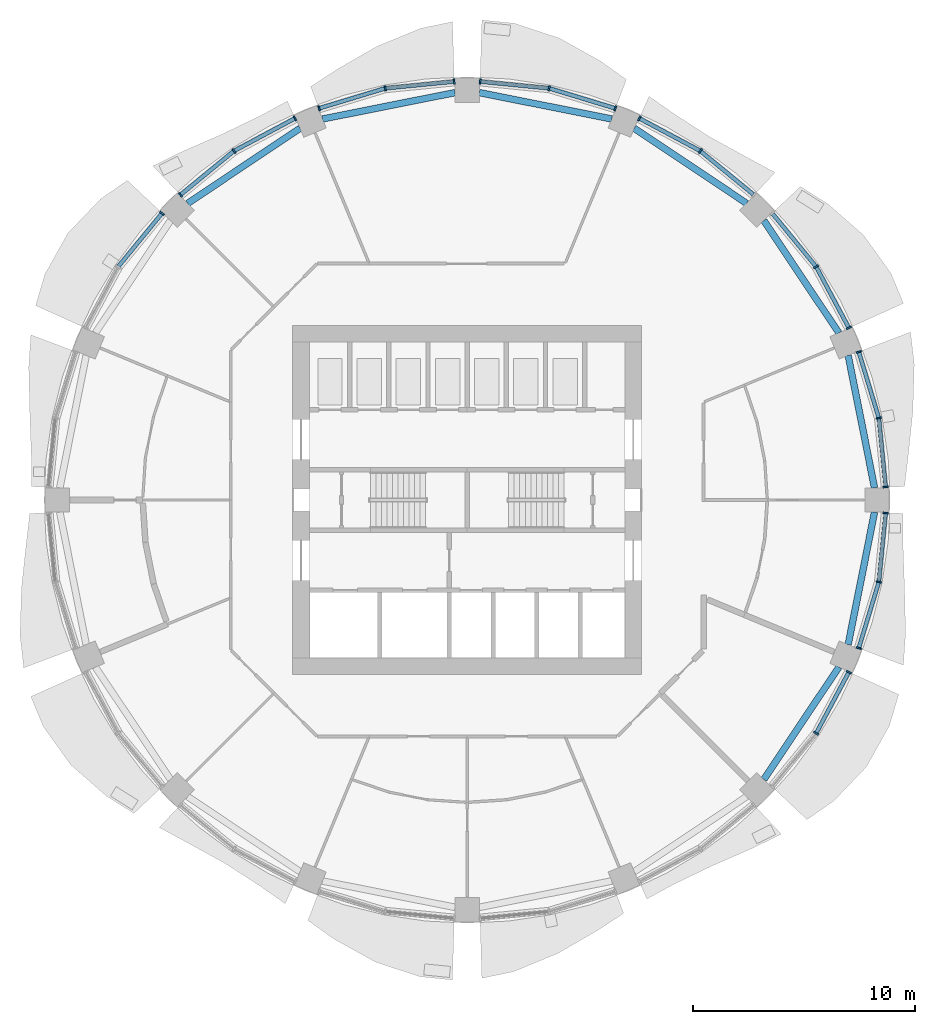
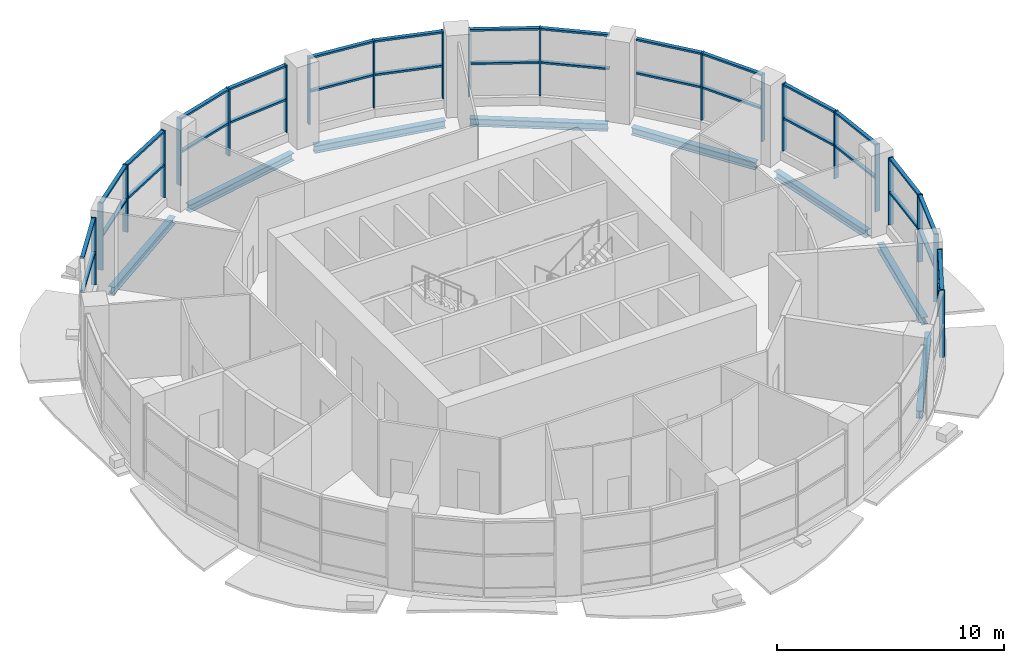
# One storey, part 3 of 13: 54 members, 8 beams, 9 elements without a shape of their own.
"""IFC4 building model written with IfcOpenShell, lengths in metres."""

from ifc_helpers import new_model, si_unit, direction, frame, origin, origin_2d, place, context, subcontext, project, spatial, rectangle, i_section, extrude, material, material_profile, profile_set, type_object, element, aggregate, save


model = new_model("IFC4")

# Units and contexts
model_context = context("Model", 3, precision=1e-05, world=origin(), true_north=direction((0.0, 1.0)))
body_context = subcontext(model_context, "Body", "Model", "MODEL_VIEW")
ifc_project = project(units=[si_unit("LENGTHUNIT", "METRE"), si_unit("AREAUNIT", "SQUARE_METRE"), si_unit("VOLUMEUNIT", "CUBIC_METRE"), si_unit("PLANEANGLEUNIT", "RADIAN"), si_unit("MASSUNIT", "GRAM", prefix="KILO")], contexts=[model_context])

# Site, building, storey
site_placement = place(None, origin())
site = spatial("IfcSite", under=ifc_project, at=site_placement, CompositionType="ELEMENT")
building_placement = place(site_placement, origin())
building = spatial("IfcBuilding", under=site, at=building_placement, Name="Polderwave Tower", CompositionType="ELEMENT")
storey_placement = place(building_placement, frame((0.0, 0.0, 116.550048828125)))
storey = spatial("IfcBuildingStorey", under=building, at=storey_placement, Name="L30", CompositionType="ELEMENT", Elevation=116.550048828125)

# Beams
ifc_material_1 = material(Name="Steel S355", Category="steel")
ifc_material_profile_1 = material_profile(ifc_material_1, i_section(OverallWidth=0.300048828125, OverallDepth=0.39990234375, WebThickness=0.013427734375, FlangeThickness=0.02392578125, at=origin_2d()), Name="HE 400 B")
ifc_profile_set_1 = profile_set([ifc_material_profile_1], Name="Steel S355")
beam_type = type_object("IfcBeamType", Name="RING BEAM HE 400 B", PredefinedType="BEAM", material=ifc_profile_set_1)
beam_1_placement = place(storey_placement, frame((18.390625, 0.550048828125, -0.550048828125), z_axis=(-0.195099501473, 0.980783454451, 0.0), x_axis=(-0.980783454451, -0.195099501473, 0.0)))
element("IfcBeam", 1, at=beam_1_placement, inside=storey, type_object=beam_type, Name="ST-RB-L30-00", PredefinedType="BEAM", context=body_context, shape_type="SweptSolid", body=[
    extrude(i_section(OverallWidth=0.300048828125, OverallDepth=0.39990234375, WebThickness=0.013427734375, FlangeThickness=0.02392578125, at=origin_2d()), origin(), (0.0, 0.0, 1.0), 6.0966796875),
])
for number, where, z_axis, x_axis, name in (
    (2, (16.7802734375, 7.5458984375, -0.550048828125), (-0.555568537713, 0.831470745068, 0.0), (-0.831470745068, -0.555568537713, 0.0), "ST-RB-L30-01"),
    (3, (12.615234375, 13.39306640625, -0.550048828125), (-0.831470745068, 0.555568537713, 0.0), (-0.555568537713, -0.831470745068, 0.0), "ST-RB-L30-02"),
):
    element("IfcBeam", number, at=place(storey_placement, frame(where, z_axis=z_axis, x_axis=x_axis)), inside=storey, type_object=beam_type, Name=name, PredefinedType="BEAM", context=body_context, shape_type="SweptSolid", body=[
        extrude(i_section(OverallWidth=0.300048828125, OverallDepth=0.39990234375, WebThickness=0.013427734375, FlangeThickness=0.02392578125, at=origin_2d()), origin(), (0.0, 0.0, 1.0), 6.096923828125),
    ])
for number, where, z_axis, x_axis, name in (
    (4, (6.529541015625, 17.201171875, -0.550048828125), (-0.980783454451, 0.195099501473, 0.0), (-0.195099501473, -0.980783454451, 0.0), "ST-RB-L30-03"),
    (5, (-0.550048828125, 18.390625, -0.550048828125), (-0.980783454451, -0.195099501473, 0.0), (0.195099501473, -0.980783454451, 0.0), "ST-RB-L30-04"),
):
    element("IfcBeam", number, at=place(storey_placement, frame(where, z_axis=z_axis, x_axis=x_axis)), inside=storey, type_object=beam_type, Name=name, PredefinedType="BEAM", context=body_context, shape_type="SweptSolid", body=[
        extrude(i_section(OverallWidth=0.300048828125, OverallDepth=0.39990234375, WebThickness=0.013427734375, FlangeThickness=0.02392578125, at=origin_2d()), origin(), (0.0, 0.0, 1.0), 6.0966796875),
    ])
for number, where, z_axis, x_axis, name in (
    (6, (-7.5458984375, 16.7802734375, -0.550048828125), (-0.831470745068, -0.555568537713, 0.0), (0.555568537713, -0.831470745068, 0.0), "ST-RB-L30-05"),
    (7, (13.39306640625, -12.615234375, -0.550048828125), (0.555568537713, 0.831470745068, 0.0), (-0.831470745068, 0.555568537713, 0.0), "ST-RB-L30-14"),
):
    element("IfcBeam", number, at=place(storey_placement, frame(where, z_axis=z_axis, x_axis=x_axis)), inside=storey, type_object=beam_type, Name=name, PredefinedType="BEAM", context=body_context, shape_type="SweptSolid", body=[
        extrude(i_section(OverallWidth=0.300048828125, OverallDepth=0.39990234375, WebThickness=0.013427734375, FlangeThickness=0.02392578125, at=origin_2d()), origin(), (0.0, 0.0, 1.0), 6.096923828125),
    ])
beam_2_placement = place(storey_placement, frame((17.201171875, -6.529541015625, -0.550048828125), z_axis=(0.195099501473, 0.980783454451, 0.0), x_axis=(-0.980783454451, 0.195099501473, 0.0)))
element("IfcBeam", 8, at=beam_2_placement, inside=storey, type_object=beam_type, Name="ST-RB-L30-15", PredefinedType="BEAM", context=body_context, shape_type="SweptSolid", body=[
    extrude(i_section(OverallWidth=0.300048828125, OverallDepth=0.39990234375, WebThickness=0.013427734375, FlangeThickness=0.02392578125, at=origin_2d()), origin(), (0.0, 0.0, 1.0), 6.0966796875),
])

# Curtain wall, members
ifc_material_2 = material(Name="Aluminium 6063-T6 and glass", Category="aluminium")
curtain_wall_type = type_object("IfcCurtainWallType", Name="Sky floor glazing wall", PredefinedType="NOTDEFINED", material=ifc_material_2)
curtain_wall_1_placement = place(storey_placement, origin())
curtain_wall_1 = element("IfcCurtainWall", 9, at=curtain_wall_1_placement, inside=storey, type_object=curtain_wall_type, Name="CW4 L30 00", PredefinedType="NOTDEFINED")
ifc_material_3 = material(Name="Aluminium 6063-T6", Category="aluminium")
ifc_material_profile_2 = material_profile(ifc_material_3, rectangle(XDim=0.239990234375, YDim=0.074951171875, at=origin_2d()), Name="AL 75x240")
ifc_profile_set_2 = profile_set([ifc_material_profile_2], Name="Aluminium 6063-T6")
member_type_1 = type_object("IfcMemberType", Name="Sky floor glazing mullion 75x240", PredefinedType="MULLION", material=ifc_profile_set_2)
member_1_placement = place(storey_placement, frame((18.892333984375, 0.58740234375, 0.449951171875), z_axis=(0.0, 0.0, 1.0), x_axis=(-0.9951831869, -0.098032772643, 0.0)))
member_1 = element("IfcMember", 10, at=member_1_placement, type_object=member_type_1, Name="CW4 mullion 1", PredefinedType="MULLION", context=body_context, shape_type="SweptSolid", body=[
    extrude(rectangle(XDim=0.239990234375, YDim=0.074951171875, at=origin_2d()), origin(), (0.0, 0.0, 1.0), 3.60009765625),
])
member_2_placement = place(storey_placement, frame((18.5859375, 3.697021484375, 0.449951171875), z_axis=(0.0, 0.0, 1.0), x_axis=(-0.980781534757, -0.195109151706, 0.0)))
member_2 = element("IfcMember", 11, at=member_2_placement, type_object=member_type_1, Name="CW4 mullion 2", PredefinedType="MULLION", context=body_context, shape_type="SweptSolid", body=[
    extrude(rectangle(XDim=0.239990234375, YDim=0.074951171875, at=origin_2d()), origin(), (0.0, 0.0, 1.0), 3.60009765625),
])
member_3_placement = place(storey_placement, frame((17.678955078125, 6.68701171875, 0.449951171875), z_axis=(0.0, 0.0, 1.0), x_axis=(-0.956933749135, -0.290306389467, 0.0)))
member_3 = element("IfcMember", 12, at=member_3_placement, type_object=member_type_1, Name="CW4 mullion 3", PredefinedType="MULLION", context=body_context, shape_type="SweptSolid", body=[
    extrude(rectangle(XDim=0.239990234375, YDim=0.074951171875, at=origin_2d()), origin(), (0.0, 0.0, 1.0), 3.60009765625),
])

curtain_wall_2_placement = place(storey_placement, origin())
curtain_wall_2 = element("IfcCurtainWall", 13, at=curtain_wall_2_placement, inside=storey, type_object=curtain_wall_type, Name="CW4 L30 01", PredefinedType="NOTDEFINED")
member_4_placement = place(storey_placement, frame((17.229248046875, 7.772216796875, 0.449951171875), z_axis=(0.0, 0.0, 1.0), x_axis=(-0.881888352499, -0.471458305396, 0.0)))
member_4 = element("IfcMember", 14, at=member_4_placement, type_object=member_type_1, Name="CW4 mullion 1", PredefinedType="MULLION", context=body_context, shape_type="SweptSolid", body=[
    extrude(rectangle(XDim=0.239990234375, YDim=0.074951171875, at=origin_2d()), origin(), (0.0, 0.0, 1.0), 3.60009765625),
])
member_5_placement = place(storey_placement, frame((15.756103515625, 10.528076171875, 0.449951171875), z_axis=(0.0, 0.0, 1.0), x_axis=(-0.831432763661, -0.555625376951, 0.0)))
member_5 = element("IfcMember", 15, at=member_5_placement, type_object=member_type_1, Name="CW4 mullion 2", PredefinedType="MULLION", context=body_context, shape_type="SweptSolid", body=[
    extrude(rectangle(XDim=0.239990234375, YDim=0.074951171875, at=origin_2d()), origin(), (0.0, 0.0, 1.0), 3.60009765625),
])

curtain_wall_3_placement = place(storey_placement, origin())
curtain_wall_3 = element("IfcCurtainWall", 16, at=curtain_wall_3_placement, inside=storey, type_object=curtain_wall_type, Name="CW4 L30 02", PredefinedType="NOTDEFINED")
member_6_placement = place(storey_placement, frame((10.528076171875, 15.756103515625, 0.449951171875), z_axis=(0.0, 0.0, 1.0), x_axis=(-0.555625376951, -0.831432763661, 0.0)))
member_6 = element("IfcMember", 17, at=member_6_placement, type_object=member_type_1, Name="CW4 mullion 2", PredefinedType="MULLION", context=body_context, shape_type="SweptSolid", body=[
    extrude(rectangle(XDim=0.239990234375, YDim=0.074951171875, at=origin_2d()), origin(), (0.0, 0.0, 1.0), 3.60009765625),
])
member_7_placement = place(storey_placement, frame((7.772216796875, 17.229248046875, 0.449951171875), z_axis=(0.0, 0.0, 1.0), x_axis=(-0.471458305396, -0.881888352499, 0.0)))
member_7 = element("IfcMember", 18, at=member_7_placement, type_object=member_type_1, Name="CW4 mullion 3", PredefinedType="MULLION", context=body_context, shape_type="SweptSolid", body=[
    extrude(rectangle(XDim=0.239990234375, YDim=0.074951171875, at=origin_2d()), origin(), (0.0, 0.0, 1.0), 3.60009765625),
])

curtain_wall_4_placement = place(storey_placement, origin())
curtain_wall_4 = element("IfcCurtainWall", 19, at=curtain_wall_4_placement, inside=storey, type_object=curtain_wall_type, Name="CW4 L30 03", PredefinedType="NOTDEFINED")
member_8_placement = place(storey_placement, frame((6.68701171875, 17.678955078125, 0.449951171875), z_axis=(0.0, 0.0, 1.0), x_axis=(-0.290306389467, -0.956933749135, 0.0)))
member_8 = element("IfcMember", 20, at=member_8_placement, type_object=member_type_1, Name="CW4 mullion 1", PredefinedType="MULLION", context=body_context, shape_type="SweptSolid", body=[
    extrude(rectangle(XDim=0.239990234375, YDim=0.074951171875, at=origin_2d()), origin(), (0.0, 0.0, 1.0), 3.60009765625),
])
member_9_placement = place(storey_placement, frame((3.697021484375, 18.5859375, 0.449951171875), z_axis=(0.0, 0.0, 1.0), x_axis=(-0.195109151706, -0.980781534757, 0.0)))
member_9 = element("IfcMember", 21, at=member_9_placement, type_object=member_type_1, Name="CW4 mullion 2", PredefinedType="MULLION", context=body_context, shape_type="SweptSolid", body=[
    extrude(rectangle(XDim=0.239990234375, YDim=0.074951171875, at=origin_2d()), origin(), (0.0, 0.0, 1.0), 3.60009765625),
])
member_10_placement = place(storey_placement, frame((0.58740234375, 18.892333984375, 0.449951171875), z_axis=(0.0, 0.0, 1.0), x_axis=(-0.098032772643, -0.9951831869, 0.0)))
member_10 = element("IfcMember", 22, at=member_10_placement, type_object=member_type_1, Name="CW4 mullion 3", PredefinedType="MULLION", context=body_context, shape_type="SweptSolid", body=[
    extrude(rectangle(XDim=0.239990234375, YDim=0.074951171875, at=origin_2d()), origin(), (0.0, 0.0, 1.0), 3.60009765625),
])

curtain_wall_5_placement = place(storey_placement, origin())
curtain_wall_5 = element("IfcCurtainWall", 23, at=curtain_wall_5_placement, inside=storey, type_object=curtain_wall_type, Name="CW4 L30 04", PredefinedType="NOTDEFINED")
member_11_placement = place(storey_placement, frame((-0.58740234375, 18.892333984375, 0.449951171875), z_axis=(0.0, 0.0, 1.0), x_axis=(0.098032772643, -0.9951831869, 0.0)))
member_11 = element("IfcMember", 24, at=member_11_placement, type_object=member_type_1, Name="CW4 mullion 1", PredefinedType="MULLION", context=body_context, shape_type="SweptSolid", body=[
    extrude(rectangle(XDim=0.239990234375, YDim=0.074951171875, at=origin_2d()), origin(), (0.0, 0.0, 1.0), 3.60009765625),
])
member_12_placement = place(storey_placement, frame((-3.697021484375, 18.5859375, 0.449951171875), z_axis=(0.0, 0.0, 1.0), x_axis=(0.195109151706, -0.980781534757, 0.0)))
member_12 = element("IfcMember", 25, at=member_12_placement, type_object=member_type_1, Name="CW4 mullion 2", PredefinedType="MULLION", context=body_context, shape_type="SweptSolid", body=[
    extrude(rectangle(XDim=0.239990234375, YDim=0.074951171875, at=origin_2d()), origin(), (0.0, 0.0, 1.0), 3.60009765625),
])
member_13_placement = place(storey_placement, frame((-6.68701171875, 17.678955078125, 0.449951171875), z_axis=(0.0, 0.0, 1.0), x_axis=(0.290306389467, -0.956933749135, 0.0)))
member_13 = element("IfcMember", 26, at=member_13_placement, type_object=member_type_1, Name="CW4 mullion 3", PredefinedType="MULLION", context=body_context, shape_type="SweptSolid", body=[
    extrude(rectangle(XDim=0.239990234375, YDim=0.074951171875, at=origin_2d()), origin(), (0.0, 0.0, 1.0), 3.60009765625),
])

curtain_wall_6_placement = place(storey_placement, origin())
curtain_wall_6 = element("IfcCurtainWall", 27, at=curtain_wall_6_placement, inside=storey, type_object=curtain_wall_type, Name="CW4 L30 05", PredefinedType="NOTDEFINED")
member_14_placement = place(storey_placement, frame((-7.772216796875, 17.229248046875, 0.449951171875), z_axis=(0.0, 0.0, 1.0), x_axis=(0.471458305396, -0.881888352499, 0.0)))
member_14 = element("IfcMember", 28, at=member_14_placement, type_object=member_type_1, Name="CW4 mullion 1", PredefinedType="MULLION", context=body_context, shape_type="SweptSolid", body=[
    extrude(rectangle(XDim=0.239990234375, YDim=0.074951171875, at=origin_2d()), origin(), (0.0, 0.0, 1.0), 3.60009765625),
])
member_15_placement = place(storey_placement, frame((-10.528076171875, 15.756103515625, 0.449951171875), z_axis=(0.0, 0.0, 1.0), x_axis=(0.555625376951, -0.831432763661, 0.0)))
member_15 = element("IfcMember", 29, at=member_15_placement, type_object=member_type_1, Name="CW4 mullion 2", PredefinedType="MULLION", context=body_context, shape_type="SweptSolid", body=[
    extrude(rectangle(XDim=0.239990234375, YDim=0.074951171875, at=origin_2d()), origin(), (0.0, 0.0, 1.0), 3.60009765625),
])
member_16_placement = place(storey_placement, frame((-12.943115234375, 13.773681640625, 0.449951171875), z_axis=(0.0, 0.0, 1.0), x_axis=(0.634443201678, -0.77296948442, 0.0)))
member_16 = element("IfcMember", 30, at=member_16_placement, type_object=member_type_1, Name="CW4 mullion 3", PredefinedType="MULLION", context=body_context, shape_type="SweptSolid", body=[
    extrude(rectangle(XDim=0.239990234375, YDim=0.074951171875, at=origin_2d()), origin(), (0.0, 0.0, 1.0), 3.60009765625),
])

# Curtain wall, member
curtain_wall_7_placement = place(storey_placement, origin())
curtain_wall_7 = element("IfcCurtainWall", 31, at=curtain_wall_7_placement, inside=storey, type_object=curtain_wall_type, Name="CW4 L30 06", PredefinedType="NOTDEFINED")
member_17_placement = place(storey_placement, frame((-13.773681640625, 12.943115234375, 0.449951171875), z_axis=(0.0, 0.0, 1.0), x_axis=(0.77296948442, -0.634443201678, 0.0)))
member_17 = element("IfcMember", 32, at=member_17_placement, type_object=member_type_1, Name="CW4 mullion 1", PredefinedType="MULLION", context=body_context, shape_type="SweptSolid", body=[
    extrude(rectangle(XDim=0.239990234375, YDim=0.074951171875, at=origin_2d()), origin(), (0.0, 0.0, 1.0), 3.60009765625),
])

# Curtain wall, members
curtain_wall_8_placement = place(storey_placement, origin())
curtain_wall_8 = element("IfcCurtainWall", 33, at=curtain_wall_8_placement, inside=storey, type_object=curtain_wall_type, Name="CW4 L30 14", PredefinedType="NOTDEFINED")
member_18_placement = place(storey_placement, frame((15.756103515625, -10.528076171875, 0.449951171875), z_axis=(0.0, 0.0, 1.0), x_axis=(-0.831432763661, 0.555625376951, 0.0)))
member_18 = element("IfcMember", 34, at=member_18_placement, type_object=member_type_1, Name="CW4 mullion 2", PredefinedType="MULLION", context=body_context, shape_type="SweptSolid", body=[
    extrude(rectangle(XDim=0.239990234375, YDim=0.074951171875, at=origin_2d()), origin(), (0.0, 0.0, 1.0), 3.60009765625),
])
member_19_placement = place(storey_placement, frame((17.229248046875, -7.772216796875, 0.449951171875), z_axis=(0.0, 0.0, 1.0), x_axis=(-0.881888352499, 0.471458305396, 0.0)))
member_19 = element("IfcMember", 35, at=member_19_placement, type_object=member_type_1, Name="CW4 mullion 3", PredefinedType="MULLION", context=body_context, shape_type="SweptSolid", body=[
    extrude(rectangle(XDim=0.239990234375, YDim=0.074951171875, at=origin_2d()), origin(), (0.0, 0.0, 1.0), 3.60009765625),
])

curtain_wall_9_placement = place(storey_placement, origin())
curtain_wall_9 = element("IfcCurtainWall", 36, at=curtain_wall_9_placement, inside=storey, type_object=curtain_wall_type, Name="CW4 L30 15", PredefinedType="NOTDEFINED")
member_20_placement = place(storey_placement, frame((17.678955078125, -6.68701171875, 0.449951171875), z_axis=(0.0, 0.0, 1.0), x_axis=(-0.956933749135, 0.290306389467, 0.0)))
member_20 = element("IfcMember", 37, at=member_20_placement, type_object=member_type_1, Name="CW4 mullion 1", PredefinedType="MULLION", context=body_context, shape_type="SweptSolid", body=[
    extrude(rectangle(XDim=0.239990234375, YDim=0.074951171875, at=origin_2d()), origin(), (0.0, 0.0, 1.0), 3.60009765625),
])
member_21_placement = place(storey_placement, frame((18.5859375, -3.697021484375, 0.449951171875), z_axis=(0.0, 0.0, 1.0), x_axis=(-0.980781534757, 0.195109151706, 0.0)))
member_21 = element("IfcMember", 38, at=member_21_placement, type_object=member_type_1, Name="CW4 mullion 2", PredefinedType="MULLION", context=body_context, shape_type="SweptSolid", body=[
    extrude(rectangle(XDim=0.239990234375, YDim=0.074951171875, at=origin_2d()), origin(), (0.0, 0.0, 1.0), 3.60009765625),
])
member_22_placement = place(storey_placement, frame((18.892333984375, -0.58740234375, 0.449951171875), z_axis=(0.0, 0.0, 1.0), x_axis=(-0.9951831869, 0.098032772643, 0.0)))
member_22 = element("IfcMember", 39, at=member_22_placement, type_object=member_type_1, Name="CW4 mullion 3", PredefinedType="MULLION", context=body_context, shape_type="SweptSolid", body=[
    extrude(rectangle(XDim=0.239990234375, YDim=0.074951171875, at=origin_2d()), origin(), (0.0, 0.0, 1.0), 3.60009765625),
])

# Member
ifc_material_profile_3 = material_profile(ifc_material_3, rectangle(XDim=0.179931640625, YDim=0.10009765625, at=origin_2d()), Name="AL 100x180")
ifc_profile_set_3 = profile_set([ifc_material_profile_3], Name="Aluminium 6063-T6")
member_type_2 = type_object("IfcMemberType", Name="Sky floor glazing transom 100x180", PredefinedType="USERDEFINED", material=ifc_profile_set_3)
member_23_placement = place(storey_placement, frame((18.888671875, 0.62451171875, 2.199951171875), z_axis=(-0.098061131065, 0.995180392981, 0.0), x_axis=(-0.995180392981, -0.098061131065, 0.0)))
member_23 = element("IfcMember", 40, at=member_23_placement, type_object=member_type_2, Name="CW4 transom 1", ObjectType="TRANSOM", PredefinedType="USERDEFINED", context=body_context, shape_type="SweptSolid", body=[
    extrude(rectangle(XDim=0.179931640625, YDim=0.10009765625, at=origin_2d()), origin(), (0.0, 0.0, 1.0), 3.0498046875),
])

member_24_placement = place(storey_placement, frame((18.888671875, 0.62451171875, 4.0), z_axis=(-0.098061131065, 0.995180392981, 0.0), x_axis=(-0.995180392981, -0.098061131065, 0.0)))
member_24 = element("IfcMember", 41, at=member_24_placement, type_object=member_type_2, Name="CW4 transom 2", ObjectType="TRANSOM", PredefinedType="USERDEFINED", context=body_context, shape_type="SweptSolid", body=[
    extrude(rectangle(XDim=0.179931640625, YDim=0.10009765625, at=origin_2d()), origin(), (0.0, 0.0, 1.0), 3.0498046875),
])

member_25_placement = place(storey_placement, frame((18.5751953125, 3.73291015625, 2.199951171875), z_axis=(-0.290365104583, 0.956915934678, 0.0), x_axis=(-0.956915934678, -0.290365104583, 0.0)))
member_25 = element("IfcMember", 42, at=member_25_placement, type_object=member_type_2, Name="CW4 transom 3", ObjectType="TRANSOM", PredefinedType="USERDEFINED", context=body_context, shape_type="SweptSolid", body=[
    extrude(rectangle(XDim=0.179931640625, YDim=0.10009765625, at=origin_2d()), origin(), (0.0, 0.0, 1.0), 3.049560546875),
])

member_26_placement = place(storey_placement, frame((18.5751953125, 3.73291015625, 4.0), z_axis=(-0.290365104583, 0.956915934678, 0.0), x_axis=(-0.956915934678, -0.290365104583, 0.0)))
member_26 = element("IfcMember", 43, at=member_26_placement, type_object=member_type_2, Name="CW4 transom 4", ObjectType="TRANSOM", PredefinedType="USERDEFINED", context=body_context, shape_type="SweptSolid", body=[
    extrude(rectangle(XDim=0.179931640625, YDim=0.10009765625, at=origin_2d()), origin(), (0.0, 0.0, 1.0), 3.049560546875),
])

aggregate(curtain_wall_1, [member_1, member_2, member_3, member_23, member_24, member_25, member_26])

member_27_placement = place(storey_placement, frame((17.211669921875, 7.80517578125, 2.199951171875), z_axis=(-0.471477100252, 0.881878304495, 0.0), x_axis=(-0.881878304495, -0.471477100252, 0.0)))
member_27 = element("IfcMember", 44, at=member_27_placement, type_object=member_type_2, Name="CW4 transom 1", ObjectType="TRANSOM", PredefinedType="USERDEFINED", context=body_context, shape_type="SweptSolid", body=[
    extrude(rectangle(XDim=0.179931640625, YDim=0.10009765625, at=origin_2d()), origin(), (0.0, 0.0, 1.0), 3.050048828125),
])

member_28_placement = place(storey_placement, frame((17.211669921875, 7.80517578125, 4.0), z_axis=(-0.471477100252, 0.881878304495, 0.0), x_axis=(-0.881878304495, -0.471477100252, 0.0)))
member_28 = element("IfcMember", 45, at=member_28_placement, type_object=member_type_2, Name="CW4 transom 2", ObjectType="TRANSOM", PredefinedType="USERDEFINED", context=body_context, shape_type="SweptSolid", body=[
    extrude(rectangle(XDim=0.179931640625, YDim=0.10009765625, at=origin_2d()), origin(), (0.0, 0.0, 1.0), 3.050048828125),
])

member_29_placement = place(storey_placement, frame((15.732177734375, 10.556884765625, 2.199951171875), z_axis=(-0.634409849984, 0.772996857849, 0.0), x_axis=(-0.772996857849, -0.634409849984, 0.0)))
member_29 = element("IfcMember", 46, at=member_29_placement, type_object=member_type_2, Name="CW4 transom 3", ObjectType="TRANSOM", PredefinedType="USERDEFINED", context=body_context, shape_type="SweptSolid", body=[
    extrude(rectangle(XDim=0.179931640625, YDim=0.10009765625, at=origin_2d()), origin(), (0.0, 0.0, 1.0), 3.04931640625),
])

member_30_placement = place(storey_placement, frame((15.732177734375, 10.556884765625, 4.0), z_axis=(-0.634409849984, 0.772996857849, 0.0), x_axis=(-0.772996857849, -0.634409849984, 0.0)))
member_30 = element("IfcMember", 47, at=member_30_placement, type_object=member_type_2, Name="CW4 transom 4", ObjectType="TRANSOM", PredefinedType="USERDEFINED", context=body_context, shape_type="SweptSolid", body=[
    extrude(rectangle(XDim=0.179931640625, YDim=0.10009765625, at=origin_2d()), origin(), (0.0, 0.0, 1.0), 3.04931640625),
])

aggregate(curtain_wall_2, [member_4, member_5, member_27, member_28, member_29, member_30])

member_31_placement = place(storey_placement, frame((12.9140625, 13.797607421875, 2.199951171875), z_axis=(-0.772996857849, 0.634409849984, 0.0), x_axis=(-0.634409849984, -0.772996857849, 0.0)))
member_31 = element("IfcMember", 48, at=member_31_placement, type_object=member_type_2, Name="CW4 transom 1", ObjectType="TRANSOM", PredefinedType="USERDEFINED", context=body_context, shape_type="SweptSolid", body=[
    extrude(rectangle(XDim=0.179931640625, YDim=0.10009765625, at=origin_2d()), origin(), (0.0, 0.0, 1.0), 3.04931640625),
])

member_32_placement = place(storey_placement, frame((12.9140625, 13.797607421875, 4.0), z_axis=(-0.772996857849, 0.634409849984, 0.0), x_axis=(-0.634409849984, -0.772996857849, 0.0)))
member_32 = element("IfcMember", 49, at=member_32_placement, type_object=member_type_2, Name="CW4 transom 2", ObjectType="TRANSOM", PredefinedType="USERDEFINED", context=body_context, shape_type="SweptSolid", body=[
    extrude(rectangle(XDim=0.179931640625, YDim=0.10009765625, at=origin_2d()), origin(), (0.0, 0.0, 1.0), 3.04931640625),
])

member_33_placement = place(storey_placement, frame((10.494873046875, 15.773681640625, 2.199951171875), z_axis=(-0.881878304495, 0.471477100252, 0.0), x_axis=(-0.471477100252, -0.881878304495, 0.0)))
member_33 = element("IfcMember", 50, at=member_33_placement, type_object=member_type_2, Name="CW4 transom 3", ObjectType="TRANSOM", PredefinedType="USERDEFINED", context=body_context, shape_type="SweptSolid", body=[
    extrude(rectangle(XDim=0.179931640625, YDim=0.10009765625, at=origin_2d()), origin(), (0.0, 0.0, 1.0), 3.050048828125),
])

member_34_placement = place(storey_placement, frame((10.494873046875, 15.773681640625, 4.0), z_axis=(-0.881878304495, 0.471477100252, 0.0), x_axis=(-0.471477100252, -0.881878304495, 0.0)))
member_34 = element("IfcMember", 51, at=member_34_placement, type_object=member_type_2, Name="CW4 transom 4", ObjectType="TRANSOM", PredefinedType="USERDEFINED", context=body_context, shape_type="SweptSolid", body=[
    extrude(rectangle(XDim=0.179931640625, YDim=0.10009765625, at=origin_2d()), origin(), (0.0, 0.0, 1.0), 3.050048828125),
])

aggregate(curtain_wall_3, [member_6, member_7, member_31, member_32, member_33, member_34])

member_35_placement = place(storey_placement, frame((6.651123046875, 17.689697265625, 2.199951171875), z_axis=(-0.956915934678, 0.290365104583, 0.0), x_axis=(-0.290365104583, -0.956915934678, 0.0)))
member_35 = element("IfcMember", 52, at=member_35_placement, type_object=member_type_2, Name="CW4 transom 1", ObjectType="TRANSOM", PredefinedType="USERDEFINED", context=body_context, shape_type="SweptSolid", body=[
    extrude(rectangle(XDim=0.179931640625, YDim=0.10009765625, at=origin_2d()), origin(), (0.0, 0.0, 1.0), 3.049560546875),
])

member_36_placement = place(storey_placement, frame((6.651123046875, 17.689697265625, 4.0), z_axis=(-0.956915934678, 0.290365104583, 0.0), x_axis=(-0.290365104583, -0.956915934678, 0.0)))
member_36 = element("IfcMember", 53, at=member_36_placement, type_object=member_type_2, Name="CW4 transom 2", ObjectType="TRANSOM", PredefinedType="USERDEFINED", context=body_context, shape_type="SweptSolid", body=[
    extrude(rectangle(XDim=0.179931640625, YDim=0.10009765625, at=origin_2d()), origin(), (0.0, 0.0, 1.0), 3.049560546875),
])

member_37_placement = place(storey_placement, frame((3.65966796875, 18.589599609375, 2.199951171875), z_axis=(-0.995180392981, 0.098061131065, 0.0), x_axis=(-0.098061131065, -0.995180392981, 0.0)))
member_37 = element("IfcMember", 54, at=member_37_placement, type_object=member_type_2, Name="CW4 transom 3", ObjectType="TRANSOM", PredefinedType="USERDEFINED", context=body_context, shape_type="SweptSolid", body=[
    extrude(rectangle(XDim=0.179931640625, YDim=0.10009765625, at=origin_2d()), origin(), (0.0, 0.0, 1.0), 3.0498046875),
])

member_38_placement = place(storey_placement, frame((3.65966796875, 18.589599609375, 4.0), z_axis=(-0.995180392981, 0.098061131065, 0.0), x_axis=(-0.098061131065, -0.995180392981, 0.0)))
member_38 = element("IfcMember", 55, at=member_38_placement, type_object=member_type_2, Name="CW4 transom 4", ObjectType="TRANSOM", PredefinedType="USERDEFINED", context=body_context, shape_type="SweptSolid", body=[
    extrude(rectangle(XDim=0.179931640625, YDim=0.10009765625, at=origin_2d()), origin(), (0.0, 0.0, 1.0), 3.0498046875),
])

aggregate(curtain_wall_4, [member_8, member_9, member_10, member_35, member_36, member_37, member_38])

member_39_placement = place(storey_placement, frame((-0.62451171875, 18.888671875, 2.199951171875), z_axis=(-0.995180392981, -0.098061131065, 0.0), x_axis=(0.098061131065, -0.995180392981, 0.0)))
member_39 = element("IfcMember", 56, at=member_39_placement, type_object=member_type_2, Name="CW4 transom 1", ObjectType="TRANSOM", PredefinedType="USERDEFINED", context=body_context, shape_type="SweptSolid", body=[
    extrude(rectangle(XDim=0.179931640625, YDim=0.10009765625, at=origin_2d()), origin(), (0.0, 0.0, 1.0), 3.0498046875),
])

member_40_placement = place(storey_placement, frame((-0.62451171875, 18.888671875, 4.0), z_axis=(-0.995180392981, -0.098061131065, 0.0), x_axis=(0.098061131065, -0.995180392981, 0.0)))
member_40 = element("IfcMember", 57, at=member_40_placement, type_object=member_type_2, Name="CW4 transom 2", ObjectType="TRANSOM", PredefinedType="USERDEFINED", context=body_context, shape_type="SweptSolid", body=[
    extrude(rectangle(XDim=0.179931640625, YDim=0.10009765625, at=origin_2d()), origin(), (0.0, 0.0, 1.0), 3.0498046875),
])

member_41_placement = place(storey_placement, frame((-3.73291015625, 18.5751953125, 2.199951171875), z_axis=(-0.956915934678, -0.290365104583, 0.0), x_axis=(0.290365104583, -0.956915934678, 0.0)))
member_41 = element("IfcMember", 58, at=member_41_placement, type_object=member_type_2, Name="CW4 transom 3", ObjectType="TRANSOM", PredefinedType="USERDEFINED", context=body_context, shape_type="SweptSolid", body=[
    extrude(rectangle(XDim=0.179931640625, YDim=0.10009765625, at=origin_2d()), origin(), (0.0, 0.0, 1.0), 3.049560546875),
])

member_42_placement = place(storey_placement, frame((-3.73291015625, 18.5751953125, 4.0), z_axis=(-0.956915934678, -0.290365104583, 0.0), x_axis=(0.290365104583, -0.956915934678, 0.0)))
member_42 = element("IfcMember", 59, at=member_42_placement, type_object=member_type_2, Name="CW4 transom 4", ObjectType="TRANSOM", PredefinedType="USERDEFINED", context=body_context, shape_type="SweptSolid", body=[
    extrude(rectangle(XDim=0.179931640625, YDim=0.10009765625, at=origin_2d()), origin(), (0.0, 0.0, 1.0), 3.049560546875),
])

aggregate(curtain_wall_5, [member_11, member_12, member_13, member_39, member_40, member_41, member_42])

member_43_placement = place(storey_placement, frame((-7.80517578125, 17.211669921875, 2.199951171875), z_axis=(-0.881878304495, -0.471477100252, 0.0), x_axis=(0.471477100252, -0.881878304495, 0.0)))
member_43 = element("IfcMember", 60, at=member_43_placement, type_object=member_type_2, Name="CW4 transom 1", ObjectType="TRANSOM", PredefinedType="USERDEFINED", context=body_context, shape_type="SweptSolid", body=[
    extrude(rectangle(XDim=0.179931640625, YDim=0.10009765625, at=origin_2d()), origin(), (0.0, 0.0, 1.0), 3.050048828125),
])

member_44_placement = place(storey_placement, frame((-7.80517578125, 17.211669921875, 4.0), z_axis=(-0.881878304495, -0.471477100252, 0.0), x_axis=(0.471477100252, -0.881878304495, 0.0)))
member_44 = element("IfcMember", 61, at=member_44_placement, type_object=member_type_2, Name="CW4 transom 2", ObjectType="TRANSOM", PredefinedType="USERDEFINED", context=body_context, shape_type="SweptSolid", body=[
    extrude(rectangle(XDim=0.179931640625, YDim=0.10009765625, at=origin_2d()), origin(), (0.0, 0.0, 1.0), 3.050048828125),
])

member_45_placement = place(storey_placement, frame((-10.556884765625, 15.732177734375, 2.199951171875), z_axis=(-0.772996857849, -0.634409849984, 0.0), x_axis=(0.634409849984, -0.772996857849, 0.0)))
member_45 = element("IfcMember", 62, at=member_45_placement, type_object=member_type_2, Name="CW4 transom 3", ObjectType="TRANSOM", PredefinedType="USERDEFINED", context=body_context, shape_type="SweptSolid", body=[
    extrude(rectangle(XDim=0.179931640625, YDim=0.10009765625, at=origin_2d()), origin(), (0.0, 0.0, 1.0), 3.04931640625),
])

member_46_placement = place(storey_placement, frame((-10.556884765625, 15.732177734375, 4.0), z_axis=(-0.772996857849, -0.634409849984, 0.0), x_axis=(0.634409849984, -0.772996857849, 0.0)))
member_46 = element("IfcMember", 63, at=member_46_placement, type_object=member_type_2, Name="CW4 transom 4", ObjectType="TRANSOM", PredefinedType="USERDEFINED", context=body_context, shape_type="SweptSolid", body=[
    extrude(rectangle(XDim=0.179931640625, YDim=0.10009765625, at=origin_2d()), origin(), (0.0, 0.0, 1.0), 3.04931640625),
])

aggregate(curtain_wall_6, [member_14, member_15, member_16, member_43, member_44, member_45, member_46])

member_47_placement = place(storey_placement, frame((-13.797607421875, 12.9140625, 2.199951171875), z_axis=(-0.634409849984, -0.772996857849, 0.0), x_axis=(0.772996857849, -0.634409849984, 0.0)))
member_47 = element("IfcMember", 64, at=member_47_placement, type_object=member_type_2, Name="CW4 transom 1", ObjectType="TRANSOM", PredefinedType="USERDEFINED", context=body_context, shape_type="SweptSolid", body=[
    extrude(rectangle(XDim=0.179931640625, YDim=0.10009765625, at=origin_2d()), origin(), (0.0, 0.0, 1.0), 3.04931640625),
])

member_48_placement = place(storey_placement, frame((-13.797607421875, 12.9140625, 4.0), z_axis=(-0.634409849984, -0.772996857849, 0.0), x_axis=(0.772996857849, -0.634409849984, 0.0)))
member_48 = element("IfcMember", 65, at=member_48_placement, type_object=member_type_2, Name="CW4 transom 2", ObjectType="TRANSOM", PredefinedType="USERDEFINED", context=body_context, shape_type="SweptSolid", body=[
    extrude(rectangle(XDim=0.179931640625, YDim=0.10009765625, at=origin_2d()), origin(), (0.0, 0.0, 1.0), 3.04931640625),
])

aggregate(curtain_wall_7, [member_17, member_47, member_48])

member_49_placement = place(storey_placement, frame((15.773681640625, -10.494873046875, 2.199951171875), z_axis=(0.471477100252, 0.881878304495, 0.0), x_axis=(-0.881878304495, 0.471477100252, 0.0)))
member_49 = element("IfcMember", 66, at=member_49_placement, type_object=member_type_2, Name="CW4 transom 3", ObjectType="TRANSOM", PredefinedType="USERDEFINED", context=body_context, shape_type="SweptSolid", body=[
    extrude(rectangle(XDim=0.179931640625, YDim=0.10009765625, at=origin_2d()), origin(), (0.0, 0.0, 1.0), 3.050048828125),
])

member_50_placement = place(storey_placement, frame((15.773681640625, -10.494873046875, 4.0), z_axis=(0.471477100252, 0.881878304495, 0.0), x_axis=(-0.881878304495, 0.471477100252, 0.0)))
member_50 = element("IfcMember", 67, at=member_50_placement, type_object=member_type_2, Name="CW4 transom 4", ObjectType="TRANSOM", PredefinedType="USERDEFINED", context=body_context, shape_type="SweptSolid", body=[
    extrude(rectangle(XDim=0.179931640625, YDim=0.10009765625, at=origin_2d()), origin(), (0.0, 0.0, 1.0), 3.050048828125),
])

aggregate(curtain_wall_8, [member_18, member_19, member_49, member_50])

member_51_placement = place(storey_placement, frame((17.689697265625, -6.651123046875, 2.199951171875), z_axis=(0.290365104583, 0.956915934678, 0.0), x_axis=(-0.956915934678, 0.290365104583, 0.0)))
member_51 = element("IfcMember", 68, at=member_51_placement, type_object=member_type_2, Name="CW4 transom 1", ObjectType="TRANSOM", PredefinedType="USERDEFINED", context=body_context, shape_type="SweptSolid", body=[
    extrude(rectangle(XDim=0.179931640625, YDim=0.10009765625, at=origin_2d()), origin(), (0.0, 0.0, 1.0), 3.049560546875),
])

member_52_placement = place(storey_placement, frame((17.689697265625, -6.651123046875, 4.0), z_axis=(0.290365104583, 0.956915934678, 0.0), x_axis=(-0.956915934678, 0.290365104583, 0.0)))
member_52 = element("IfcMember", 69, at=member_52_placement, type_object=member_type_2, Name="CW4 transom 2", ObjectType="TRANSOM", PredefinedType="USERDEFINED", context=body_context, shape_type="SweptSolid", body=[
    extrude(rectangle(XDim=0.179931640625, YDim=0.10009765625, at=origin_2d()), origin(), (0.0, 0.0, 1.0), 3.049560546875),
])

member_53_placement = place(storey_placement, frame((18.589599609375, -3.65966796875, 2.199951171875), z_axis=(0.098061131065, 0.995180392981, 0.0), x_axis=(-0.995180392981, 0.098061131065, 0.0)))
member_53 = element("IfcMember", 70, at=member_53_placement, type_object=member_type_2, Name="CW4 transom 3", ObjectType="TRANSOM", PredefinedType="USERDEFINED", context=body_context, shape_type="SweptSolid", body=[
    extrude(rectangle(XDim=0.179931640625, YDim=0.10009765625, at=origin_2d()), origin(), (0.0, 0.0, 1.0), 3.0498046875),
])

member_54_placement = place(storey_placement, frame((18.589599609375, -3.65966796875, 4.0), z_axis=(0.098061131065, 0.995180392981, 0.0), x_axis=(-0.995180392981, 0.098061131065, 0.0)))
member_54 = element("IfcMember", 71, at=member_54_placement, type_object=member_type_2, Name="CW4 transom 4", ObjectType="TRANSOM", PredefinedType="USERDEFINED", context=body_context, shape_type="SweptSolid", body=[
    extrude(rectangle(XDim=0.179931640625, YDim=0.10009765625, at=origin_2d()), origin(), (0.0, 0.0, 1.0), 3.0498046875),
])

aggregate(curtain_wall_9, [member_20, member_21, member_22, member_51, member_52, member_53, member_54])

save(model, "model.ifc")
